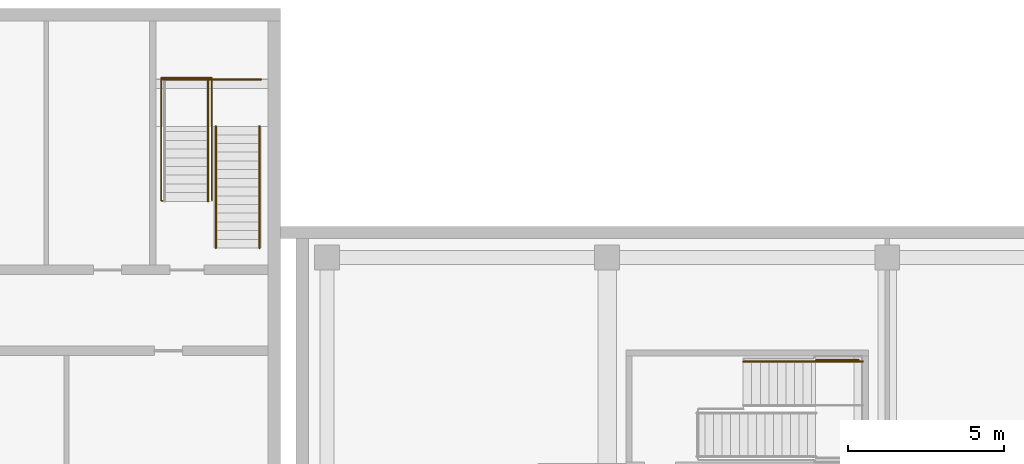
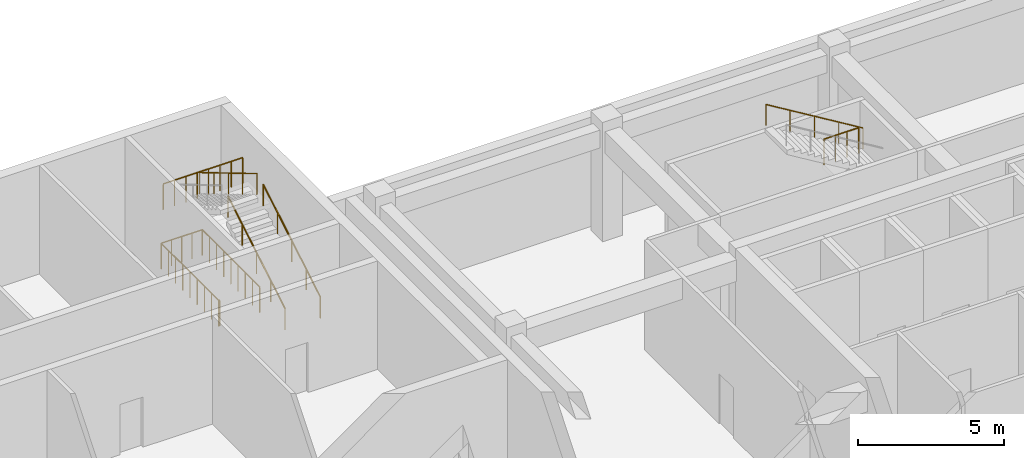
# One storey, part 15 of 15: 7 railings.
"""IFC4 building model written with IfcOpenShell, lengths in metres."""

from ifc_helpers import new_model, si_unit, direction, frame, origin, origin_2d, place, context, subcontext, project, spatial, circle, extrude, material, type_object, element, save


model = new_model("IFC4")

# Units and contexts
model_context = context("Model", 3, precision=1e-05, world=origin(), true_north=direction((0.0, 1.0)))
body_context = subcontext(model_context, "Body", "Model", "MODEL_VIEW")
ifc_project = project(units=[si_unit("LENGTHUNIT", "METRE"), si_unit("AREAUNIT", "SQUARE_METRE"), si_unit("VOLUMEUNIT", "CUBIC_METRE"), si_unit("PLANEANGLEUNIT", "RADIAN"), si_unit("MASSUNIT", "GRAM", prefix="KILO")], contexts=[model_context])

# Site, building, storey
site_placement = place(None, origin())
site = spatial("IfcSite", under=ifc_project, at=site_placement, CompositionType="ELEMENT")
building_placement = place(site_placement, origin())
building = spatial("IfcBuilding", under=site, at=building_placement, Name="Tuart Plaza Theatre", CompositionType="ELEMENT")
storey_placement = place(building_placement, frame((0.0, 0.0, -5.0)))
storey = spatial("IfcBuildingStorey", under=building, at=storey_placement, Name="B1", CompositionType="ELEMENT", Elevation=-5.0)

# Railings
ifc_material_1 = material(Name="Steel Grade C350L0", Category="steel")
railing_type_1 = type_object("IfcRailingType", Name="RAILING Guard 1100", PredefinedType="GUARDRAIL", material=ifc_material_1)
railing_1_placement = place(storey_placement, frame((131.080078125, 88.699951171875, 2.5)))
element("IfcRailing", 1, at=railing_1_placement, inside=storey, type_object=railing_type_1, Name="GR452", PredefinedType="GUARDRAIL", context=body_context, shape_type="SweptSolid", body=[
    extrude(circle(Radius=0.02490234375, at=origin_2d()), frame((0.0, 0.0, 1.0751953125), z_axis=(-1.0, 0.0, 0.0), x_axis=(0.0, -1.0, 0.0)), (0.0, 0.0, 1.0), 1.380126953125),
    extrude(circle(Radius=0.02001953125, at=origin_2d()), origin(), (0.0, 0.0, 1.0), 1.050048828125),
    extrude(circle(Radius=0.02001953125, at=origin_2d()), frame((-0.4599609375, 0.0, 0.0)), (0.0, 0.0, 1.0), 1.050048828125),
    extrude(circle(Radius=0.02001953125, at=origin_2d()), frame((-0.920166015625, 0.0, 0.0)), (0.0, 0.0, 1.0), 1.050048828125),
    extrude(circle(Radius=0.02001953125, at=origin_2d()), frame((-1.380126953125, 0.0, 0.0)), (0.0, 0.0, 1.0), 1.050048828125),
])
railing_2_placement = place(storey_placement, frame((110.300048828125, 93.824951171875, 0.0)))
element("IfcRailing", 2, at=railing_2_placement, inside=storey, type_object=railing_type_1, Name="GR467", PredefinedType="GUARDRAIL", context=body_context, shape_type="SweptSolid", body=[
    extrude(circle(Radius=0.02490234375, at=origin_2d()), frame((0.0, 0.0, 1.0751953125), z_axis=(0.0, 1.0, 0.0), x_axis=(-1.0, 0.0, 0.0)), (0.0, 0.0, 1.0), 3.945068359375),
    extrude(circle(Radius=0.02490234375, at=origin_2d()), frame((0.0, 3.945068359375, 1.0751953125), z_axis=(-1.0, 0.0, 0.0), x_axis=(0.0, -1.0, 0.0)), (0.0, 0.0, 1.0), 1.625),
    extrude(circle(Radius=0.02490234375, at=origin_2d()), frame((-1.625, 3.945068359375, 1.0751953125), z_axis=(0.0, -1.0, 0.0), x_axis=(1.0, 0.0, 0.0)), (0.0, 0.0, 1.0), 3.949951171875),
    extrude(circle(Radius=0.02490234375, at=origin_2d()), frame((-1.625, -0.0048828125, 1.0751953125), z_axis=(1.0, 0.0, 0.0), x_axis=(0.0, 1.0, 0.0)), (0.0, 0.0, 1.0), 0.044921875),
    extrude(circle(Radius=0.02001953125, at=origin_2d()), origin(), (0.0, 0.0, 1.0), 1.050048828125),
    extrude(circle(Radius=0.02001953125, at=origin_2d()), frame((0.0, 0.4931640625, 0.0)), (0.0, 0.0, 1.0), 1.050048828125),
    extrude(circle(Radius=0.02001953125, at=origin_2d()), frame((0.0, 0.986328125, 0.0)), (0.0, 0.0, 1.0), 1.050048828125),
    extrude(circle(Radius=0.02001953125, at=origin_2d()), frame((0.0, 1.4794921875, 0.0)), (0.0, 0.0, 1.0), 1.050048828125),
    extrude(circle(Radius=0.02001953125, at=origin_2d()), frame((0.0, 1.97265625, 0.0)), (0.0, 0.0, 1.0), 1.050048828125),
    extrude(circle(Radius=0.02001953125, at=origin_2d()), frame((0.0, 2.465576171875, 0.0)), (0.0, 0.0, 1.0), 1.050048828125),
    extrude(circle(Radius=0.02001953125, at=origin_2d()), frame((0.0, 2.958740234375, 0.0)), (0.0, 0.0, 1.0), 1.050048828125),
    extrude(circle(Radius=0.02001953125, at=origin_2d()), frame((0.0, 3.451904296875, 0.0)), (0.0, 0.0, 1.0), 1.050048828125),
    extrude(circle(Radius=0.02001953125, at=origin_2d()), frame((0.0, 3.945068359375, 0.0)), (0.0, 0.0, 1.0), 1.050048828125),
    extrude(circle(Radius=0.02001953125, at=origin_2d()), frame((-0.40625, 3.945068359375, 0.0)), (0.0, 0.0, 1.0), 1.050048828125),
    extrude(circle(Radius=0.02001953125, at=origin_2d()), frame((-0.8125, 3.945068359375, 0.0)), (0.0, 0.0, 1.0), 1.050048828125),
    extrude(circle(Radius=0.02001953125, at=origin_2d()), frame((-1.21875, 3.945068359375, 0.0)), (0.0, 0.0, 1.0), 1.050048828125),
    extrude(circle(Radius=0.02001953125, at=origin_2d()), frame((-1.625, 3.945068359375, 0.0)), (0.0, 0.0, 1.0), 1.050048828125),
    extrude(circle(Radius=0.02001953125, at=origin_2d()), frame((-1.625, 3.451416015625, 0.0)), (0.0, 0.0, 1.0), 1.050048828125),
    extrude(circle(Radius=0.02001953125, at=origin_2d()), frame((-1.625, 2.95751953125, 0.0)), (0.0, 0.0, 1.0), 1.050048828125),
    extrude(circle(Radius=0.02001953125, at=origin_2d()), frame((-1.625, 2.4638671875, 0.0)), (0.0, 0.0, 1.0), 1.050048828125),
    extrude(circle(Radius=0.02001953125, at=origin_2d()), frame((-1.625, 1.97021484375, 0.0)), (0.0, 0.0, 1.0), 1.050048828125),
    extrude(circle(Radius=0.02001953125, at=origin_2d()), frame((-1.625, 1.476318359375, 0.0)), (0.0, 0.0, 1.0), 1.050048828125),
    extrude(circle(Radius=0.02001953125, at=origin_2d()), frame((-1.625, 0.982666015625, 0.0)), (0.0, 0.0, 1.0), 1.050048828125),
    extrude(circle(Radius=0.02001953125, at=origin_2d()), frame((-1.625, 0.48876953125, 0.0)), (0.0, 0.0, 1.0), 1.050048828125),
    extrude(circle(Radius=0.02001953125, at=origin_2d()), frame((-1.625, -0.0048828125, 0.0)), (0.0, 0.0, 1.0), 1.050048828125),
    extrude(circle(Radius=0.02001953125, at=origin_2d()), frame((-1.580078125, -0.0048828125, 0.0)), (0.0, 0.0, 1.0), 1.050048828125),
])
railing_3_placement = place(storey_placement, frame((111.875, 97.719970703125, 2.5)))
element("IfcRailing", 3, at=railing_3_placement, inside=storey, type_object=railing_type_1, Name="GR470", PredefinedType="GUARDRAIL", context=body_context, shape_type="SweptSolid", body=[
    extrude(circle(Radius=0.02490234375, at=origin_2d()), frame((0.0, 0.0, 1.0751953125), z_axis=(-1.0, 0.0, 0.0), x_axis=(0.0, -1.0, 0.0)), (0.0, 0.0, 1.0), 3.14990234375),
    extrude(circle(Radius=0.02001953125, at=origin_2d()), origin(), (0.0, 0.0, 1.0), 1.050048828125),
    extrude(circle(Radius=0.02001953125, at=origin_2d()), frame((-0.449951171875, 0.0, 0.0)), (0.0, 0.0, 1.0), 1.050048828125),
    extrude(circle(Radius=0.02001953125, at=origin_2d()), frame((-0.89990234375, 0.0, 0.0)), (0.0, 0.0, 1.0), 1.050048828125),
    extrude(circle(Radius=0.02001953125, at=origin_2d()), frame((-1.349853515625, 0.0, 0.0)), (0.0, 0.0, 1.0), 1.050048828125),
    extrude(circle(Radius=0.02001953125, at=origin_2d()), frame((-1.800048828125, 0.0, 0.0)), (0.0, 0.0, 1.0), 1.050048828125),
    extrude(circle(Radius=0.02001953125, at=origin_2d()), frame((-2.25, 0.0, 0.0)), (0.0, 0.0, 1.0), 1.050048828125),
    extrude(circle(Radius=0.02001953125, at=origin_2d()), frame((-2.699951171875, 0.0, 0.0)), (0.0, 0.0, 1.0), 1.050048828125),
    extrude(circle(Radius=0.02001953125, at=origin_2d()), frame((-3.14990234375, 0.0, 0.0)), (0.0, 0.0, 1.0), 1.050048828125),
])
ifc_material_2 = material(Name="Steel Grade C350L0", Category="steel")
railing_type_2 = type_object("IfcRailingType", Name="RAILING Handrail 900", PredefinedType="HANDRAIL", material=ifc_material_2)
railing_4_placement = place(storey_placement, frame((131.219970703125, 88.64990234375, 2.666748046875)))
element("IfcRailing", 4, at=railing_4_placement, inside=storey, type_object=railing_type_2, Name="HR322", PredefinedType="HANDRAIL", context=body_context, shape_type="SweptSolid", body=[
    extrude(circle(Radius=0.0224609375, at=origin_2d()), frame((0.0, 0.0, 0.87744140625), z_axis=(-0.855197103107, 0.0, 0.518302918029), x_axis=(0.0, -1.0, 0.0)), (0.0, 0.0, 1.0), 4.501708984375),
    extrude(circle(Radius=0.01513671875, at=origin_2d()), origin(), (0.0, 0.0, 1.0), 0.85498046875),
    extrude(circle(Radius=0.01513671875, at=origin_2d()), frame((-0.96240234375, 0.0, 0.583251953125)), (0.0, 0.0, 1.0), 0.85498046875),
    extrude(circle(Radius=0.01513671875, at=origin_2d()), frame((-1.9248046875, 0.0, 1.16650390625)), (0.0, 0.0, 1.0), 0.85498046875),
    extrude(circle(Radius=0.01513671875, at=origin_2d()), frame((-2.887451171875, 0.0, 1.75)), (0.0, 0.0, 1.0), 0.85498046875),
    extrude(circle(Radius=0.01513671875, at=origin_2d()), frame((-3.849853515625, 0.0, 2.333251953125)), (0.0, 0.0, 1.0), 0.85498046875),
])
for number, where, name in (
    (5, (110.425048828125, 92.300048828125, 0.166748046875), "HR343"),
    (6, (111.824951171875, 92.300048828125, 0.166748046875), "HR344"),
):
    element("IfcRailing", number, at=place(storey_placement, frame(where)), inside=storey, type_object=railing_type_2, Name=name, PredefinedType="HANDRAIL", context=body_context, shape_type="SweptSolid", body=[
        extrude(circle(Radius=0.0224609375, at=origin_2d()), frame((0.0, 0.0, 0.87744140625), z_axis=(0.0, 0.859296244711, 0.511478214419), x_axis=(-1.0, 0.0, 0.0)), (0.0, 0.0, 1.0), 4.561767578125),
        extrude(circle(Radius=0.01513671875, at=origin_2d()), origin(), (0.0, 0.0, 1.0), 0.85498046875),
        extrude(circle(Radius=0.01513671875, at=origin_2d()), frame((0.0, 0.97998046875, 0.583251953125)), (0.0, 0.0, 1.0), 0.85498046875),
        extrude(circle(Radius=0.01513671875, at=origin_2d()), frame((0.0, 1.9599609375, 1.16650390625)), (0.0, 0.0, 1.0), 0.85498046875),
        extrude(circle(Radius=0.01513671875, at=origin_2d()), frame((0.0, 2.93994140625, 1.75)), (0.0, 0.0, 1.0), 0.85498046875),
        extrude(circle(Radius=0.01513671875, at=origin_2d()), frame((0.0, 3.919921875, 2.333251953125)), (0.0, 0.0, 1.0), 0.85498046875),
    ])
railing_5_placement = place(storey_placement, frame((110.175048828125, 97.719970703125, 2.666748046875)))
element("IfcRailing", 7, at=railing_5_placement, inside=storey, type_object=railing_type_2, Name="HR345", PredefinedType="HANDRAIL", context=body_context, shape_type="SweptSolid", body=[
    extrude(circle(Radius=0.0224609375, at=origin_2d()), frame((0.0, 0.0, 0.87744140625), z_axis=(0.0, -0.859296244711, 0.511478214419), x_axis=(1.0, 0.0, 0.0)), (0.0, 0.0, 1.0), 4.561767578125),
    extrude(circle(Radius=0.01513671875, at=origin_2d()), origin(), (0.0, 0.0, 1.0), 0.85498046875),
    extrude(circle(Radius=0.01513671875, at=origin_2d()), frame((0.0, -0.97998046875, 0.583251953125)), (0.0, 0.0, 1.0), 0.85498046875),
    extrude(circle(Radius=0.01513671875, at=origin_2d()), frame((0.0, -1.9599609375, 1.16650390625)), (0.0, 0.0, 1.0), 0.85498046875),
    extrude(circle(Radius=0.01513671875, at=origin_2d()), frame((0.0, -2.93994140625, 1.75)), (0.0, 0.0, 1.0), 0.85498046875),
    extrude(circle(Radius=0.01513671875, at=origin_2d()), frame((0.0, -3.919921875, 2.333251953125)), (0.0, 0.0, 1.0), 0.85498046875),
])

save(model, "model.ifc")
